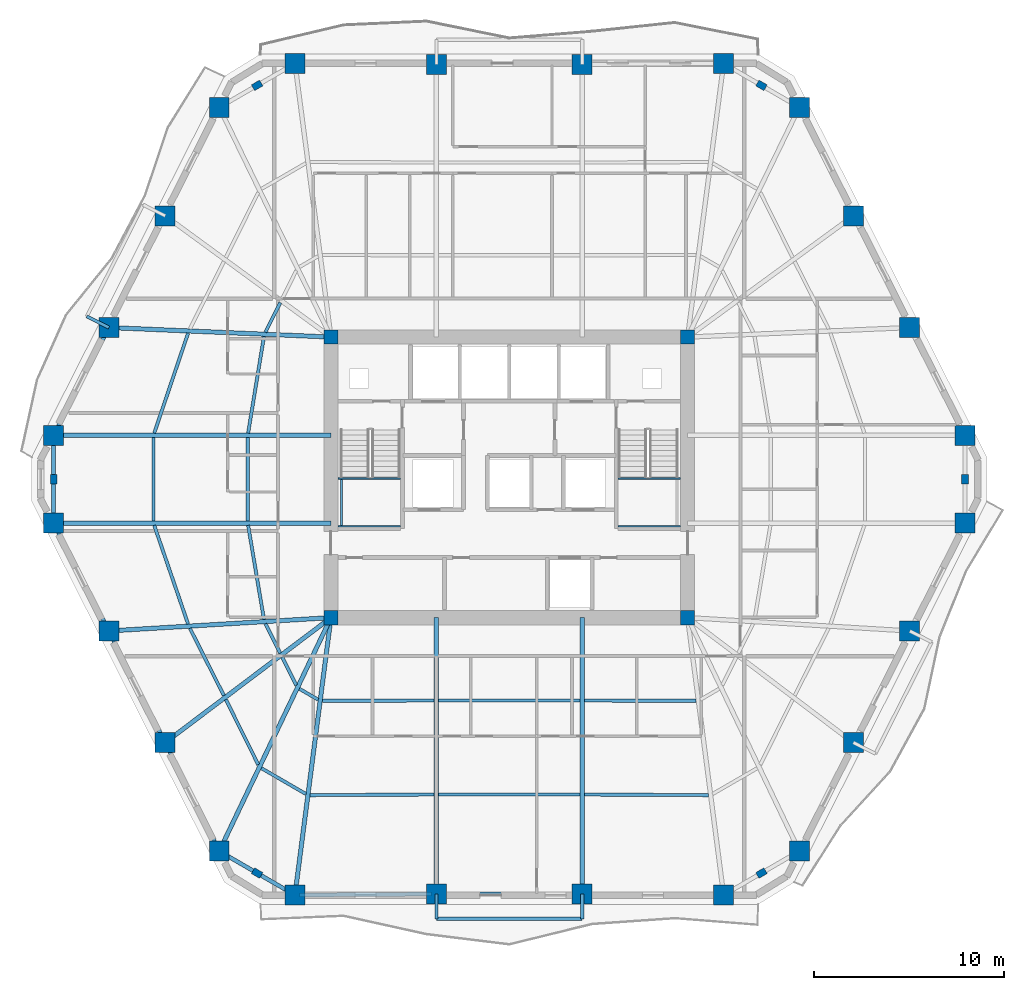
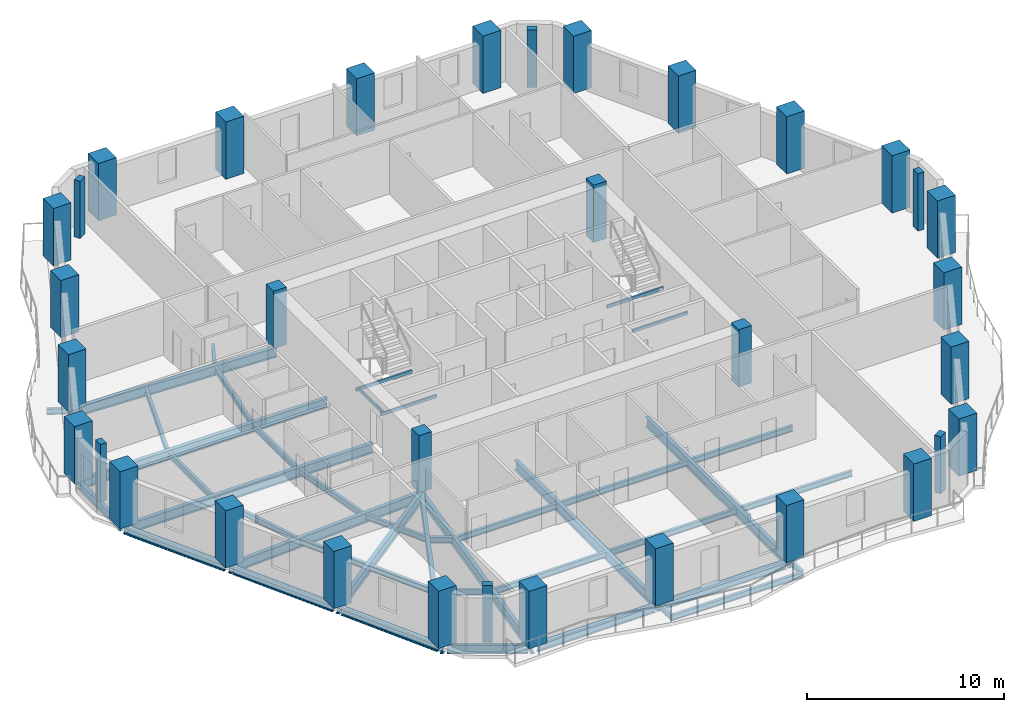
# One storey, part 1 of 10: 45 beams, 34 columns.
"""IFC4 building model written with IfcOpenShell, lengths in metres."""

from ifc_helpers import new_model, si_unit, direction, frame, origin, origin_2d, place, context, subcontext, project, spatial, rectangle, hollow_rectangle, i_section, extrude, material, material_profile, profile_set, type_object, element, save


model = new_model("IFC4")

# Units and contexts
model_context = context("Model", 3, precision=1e-05, world=origin(), true_north=direction((0.0, 1.0)))
body_context = subcontext(model_context, "Body", "Model", "MODEL_VIEW")
ifc_project = project(units=[si_unit("LENGTHUNIT", "METRE"), si_unit("AREAUNIT", "SQUARE_METRE"), si_unit("VOLUMEUNIT", "CUBIC_METRE"), si_unit("PLANEANGLEUNIT", "RADIAN"), si_unit("MASSUNIT", "GRAM", prefix="KILO")], contexts=[model_context])

# Site, building, storey
site_placement = place(None, origin())
site = spatial("IfcSite", under=ifc_project, at=site_placement, CompositionType="ELEMENT")
building_placement = place(site_placement, origin())
building = spatial("IfcBuilding", under=site, at=building_placement, Name="Cinnabar Lancet Tower", CompositionType="ELEMENT")
storey_placement = place(building_placement, frame((0.0, 0.0, 116.14990234375)))
storey = spatial("IfcBuildingStorey", under=building, at=storey_placement, Name="L30", CompositionType="ELEMENT", Elevation=116.14990234375)

# Columns
ifc_material_1 = material(Name="Concrete C70/85", Category="concrete")
ifc_material_profile_1 = material_profile(ifc_material_1, rectangle(XDim=0.75, YDim=0.75, at=origin_2d()), Name="RC-COL 750x750")
ifc_profile_set_1 = profile_set([ifc_material_profile_1], Name="Concrete C70/85")
column_type_1 = type_object("IfcColumnType", Name="STR-COL-CORE-750", PredefinedType="COLUMN", material=ifc_profile_set_1)
for number, where, z_axis, x_axis, name in (
    (1, (23.02490234375, 18.52490234375, 0.0), (0.0, 0.0, 1.0), (1.0, 0.0, 0.0), "L30 Core Corner Column SW"),
    (2, (41.77490234375, 18.52490234375, 0.0), (0.0, 0.0, 1.0), (1.0, 0.0, 0.0), "L30 Core Corner Column SE"),
    (3, (41.77490234375, 33.27490234375, 0.0), (0.0, 0.0, 1.0), (1.0, 0.0, 0.0), "L30 Core Corner Column NE"),
    (4, (23.02490234375, 33.27490234375, 0.0), (0.0, 0.0, 1.0), (1.0, 0.0, 0.0), "L30 Core Corner Column NW"),
):
    element("IfcColumn", number, at=place(storey_placement, frame(where, z_axis=z_axis, x_axis=x_axis)), inside=storey, type_object=column_type_1, Name=name, PredefinedType="COLUMN", context=body_context, shape_type="SweptSolid", body=[
        extrude(rectangle(XDim=0.75, YDim=0.75, at=origin_2d()), origin(), (0.0, 0.0, 1.0), 3.550048828125),
    ])
ifc_material_2 = material(Name="Concrete C60/75", Category="concrete")
ifc_material_profile_2 = material_profile(ifc_material_2, rectangle(XDim=0.5, YDim=0.35009765625, at=origin_2d()), Name="RC-PIL 500x350")
ifc_profile_set_2 = profile_set([ifc_material_profile_2], Name="Concrete C60/75")
column_type_2 = type_object("IfcColumnType", Name="STR-COL-PIL-500", PredefinedType="PILASTER", material=ifc_profile_set_2)
for number, where, z_axis, x_axis, name in (
    (5, (19.14111328125, 5.093017578125, 0.0), (0.0, 0.0, 1.0), (0.865160173452, -0.501495637342, 0.0), "L30 Chamfered Corner Pilaster 1"),
    (6, (45.658935546875, 5.093017578125, 0.0), (0.0, 0.0, 1.0), (0.865160173452, 0.501495637342, 0.0), "L30 Chamfered Corner Pilaster 2"),
    (7, (56.35693359375, 25.800048828125, 0.0), (0.0, 0.0, 1.0), (0.0, 1.0, 0.0), "L30 Chamfered Corner Pilaster 3"),
    (8, (45.658935546875, 46.508056640625, 0.0), (0.0, 0.0, 1.0), (-0.865160173452, 0.501495637342, 0.0), "L30 Chamfered Corner Pilaster 4"),
    (9, (19.14111328125, 46.508056640625, 0.0), (0.0, 0.0, 1.0), (-0.865160173452, -0.501495637342, 0.0), "L30 Chamfered Corner Pilaster 5"),
    (10, (8.443115234375, 25.800048828125, 0.0), (0.0, 0.0, 1.0), (0.0, -1.0, 0.0), "L30 Chamfered Corner Pilaster 6"),
):
    element("IfcColumn", number, at=place(storey_placement, frame(where, z_axis=z_axis, x_axis=x_axis)), inside=storey, type_object=column_type_2, Name=name, PredefinedType="PILASTER", context=body_context, shape_type="SweptSolid", body=[
        extrude(rectangle(XDim=0.5, YDim=0.35009765625, at=origin_2d()), origin(), (0.0, 0.0, 1.0), 3.550048828125),
    ])
ifc_material_3 = material(Name="Concrete C70/85", Category="concrete")
ifc_material_profile_3 = material_profile(ifc_material_3, rectangle(XDim=1.050048828125, YDim=1.050048828125, at=origin_2d()), Name="RC-COL 1050x1050")
ifc_profile_set_3 = profile_set([ifc_material_profile_3], Name="Concrete C70/85")
column_type_3 = type_object("IfcColumnType", Name="STR-COL-TUBE-1050", PredefinedType="COLUMN", material=ifc_profile_set_3)
for number, where, z_axis, x_axis, name in (
    (11, (21.131103515625, 3.93896484375, 0.0), (0.0, 0.0, 1.0), (1.0, 0.0, 0.0), "L30 Perimeter Tube Column 1"),
    (12, (28.568115234375, 3.991943359375, 0.0), (0.0, 0.0, 1.0), (1.0, 0.0, 0.0), "L30 Perimeter Tube Column 2"),
    (13, (36.23193359375, 3.991943359375, 0.0), (0.0, 0.0, 1.0), (1.0, 0.0, 0.0), "L30 Perimeter Tube Column 3"),
    (14, (43.6689453125, 3.93896484375, 0.0), (0.0, 0.0, 1.0), (1.0, 0.0, 0.0), "L30 Perimeter Tube Column 4"),
    (15, (47.64892578125, 6.24609375, 0.0), (0.0, 0.0, 1.0), (1.0, 0.0, 0.0), "L30 Perimeter Tube Column 5"),
    (16, (50.489013671875, 11.955078125, 0.0), (0.0, 0.0, 1.0), (1.0, 0.0, 0.0), "L30 Perimeter Tube Column 6"),
    (17, (53.451904296875, 17.823974609375, 0.0), (0.0, 0.0, 1.0), (1.0, 0.0, 0.0), "L30 Perimeter Tube Column 7"),
    (18, (56.35693359375, 23.490966796875, 0.0), (0.0, 0.0, 1.0), (1.0, 0.0, 0.0), "L30 Perimeter Tube Column 8"),
    (19, (56.35693359375, 28.10888671875, 0.0), (0.0, 0.0, 1.0), (1.0, 0.0, 0.0), "L30 Perimeter Tube Column 9"),
    (20, (53.451904296875, 33.77587890625, 0.0), (0.0, 0.0, 1.0), (1.0, 0.0, 0.0), "L30 Perimeter Tube Column 10"),
    (21, (50.489013671875, 39.64501953125, 0.0), (0.0, 0.0, 1.0), (1.0, 0.0, 0.0), "L30 Perimeter Tube Column 11"),
    (22, (47.64892578125, 45.35400390625, 0.0), (0.0, 0.0, 1.0), (1.0, 0.0, 0.0), "L30 Perimeter Tube Column 12"),
    (23, (43.6689453125, 47.660888671875, 0.0), (0.0, 0.0, 1.0), (1.0, 0.0, 0.0), "L30 Perimeter Tube Column 13"),
    (24, (36.23193359375, 47.60791015625, 0.0), (0.0, 0.0, 1.0), (1.0, 0.0, 0.0), "L30 Perimeter Tube Column 14"),
    (25, (28.568115234375, 47.60791015625, 0.0), (0.0, 0.0, 1.0), (1.0, 0.0, 0.0), "L30 Perimeter Tube Column 15"),
    (26, (21.131103515625, 47.660888671875, 0.0), (0.0, 0.0, 1.0), (1.0, 0.0, 0.0), "L30 Perimeter Tube Column 16"),
    (27, (17.15087890625, 45.35400390625, 0.0), (0.0, 0.0, 1.0), (1.0, 0.0, 0.0), "L30 Perimeter Tube Column 17"),
    (28, (14.31103515625, 39.64501953125, 0.0), (0.0, 0.0, 1.0), (1.0, 0.0, 0.0), "L30 Perimeter Tube Column 18"),
    (29, (11.347900390625, 33.77587890625, 0.0), (0.0, 0.0, 1.0), (1.0, 0.0, 0.0), "L30 Perimeter Tube Column 19"),
    (30, (8.443115234375, 28.10888671875, 0.0), (0.0, 0.0, 1.0), (1.0, 0.0, 0.0), "L30 Perimeter Tube Column 20"),
    (31, (8.443115234375, 23.490966796875, 0.0), (0.0, 0.0, 1.0), (1.0, 0.0, 0.0), "L30 Perimeter Tube Column 21"),
    (32, (11.347900390625, 17.823974609375, 0.0), (0.0, 0.0, 1.0), (1.0, 0.0, 0.0), "L30 Perimeter Tube Column 22"),
    (33, (14.31103515625, 11.955078125, 0.0), (0.0, 0.0, 1.0), (1.0, 0.0, 0.0), "L30 Perimeter Tube Column 23"),
    (34, (17.15087890625, 6.24609375, 0.0), (0.0, 0.0, 1.0), (1.0, 0.0, 0.0), "L30 Perimeter Tube Column 24"),
):
    element("IfcColumn", number, at=place(storey_placement, frame(where, z_axis=z_axis, x_axis=x_axis)), inside=storey, type_object=column_type_3, Name=name, PredefinedType="COLUMN", context=body_context, shape_type="SweptSolid", body=[
        extrude(rectangle(XDim=1.050048828125, YDim=1.050048828125, at=origin_2d()), origin(), (0.0, 0.0, 1.0), 3.550048828125),
    ])

# Beams
ifc_material_4 = material(Name="Structural steel S355", Category="steel")
ifc_material_profile_4 = material_profile(ifc_material_4, i_section(OverallWidth=0.17138671875, OverallDepth=0.35498046875, WebThickness=0.00732421875, FlangeThickness=0.011474609375, FilletRadius=0.01025390625, at=origin_2d()), Name="UKB 356x171x51")
ifc_profile_set_4 = profile_set([ifc_material_profile_4], Name="Structural steel S355")
beam_type_1 = type_object("IfcBeamType", Name="STR-BM-JST-356", PredefinedType="JOIST", material=ifc_profile_set_4)
beam_1_placement = place(storey_placement, frame((13.73193359375, 23.376953125, -0.386962890625), z_axis=(0.324639458548, -0.945837841257, 0.0), x_axis=(0.945837841257, 0.324639458548, 0.0)))
element("IfcBeam", 35, at=beam_1_placement, inside=storey, type_object=beam_type_1, Name="L30 Secondary Floor Joist 1", PredefinedType="JOIST", context=body_context, shape_type="SweptSolid", body=[
    extrude(i_section(OverallWidth=0.17138671875, OverallDepth=0.35498046875, WebThickness=0.00732421875, FlangeThickness=0.011474609375, FilletRadius=0.01025390625, at=origin_2d()), origin(), (0.0, 0.0, 1.0), 5.486083984375),
])
beam_2_placement = place(storey_placement, frame((18.669921875, 23.376953125, -0.386962890625), z_axis=(0.165984412241, -0.986128376477, 0.0), x_axis=(0.986128376477, 0.165984412241, 0.0)))
element("IfcBeam", 36, at=beam_2_placement, inside=storey, type_object=beam_type_1, Name="L30 Secondary Floor Joist 2", PredefinedType="JOIST", context=body_context, shape_type="SweptSolid", body=[
    extrude(i_section(OverallWidth=0.17138671875, OverallDepth=0.35498046875, WebThickness=0.00732421875, FlangeThickness=0.011474609375, FilletRadius=0.01025390625, at=origin_2d()), origin(), (0.0, 0.0, 1.0), 5.0185546875),
])
beam_3_placement = place(storey_placement, frame((15.60791015625, 17.965087890625, -0.386962890625), z_axis=(0.450755070916, -0.892647671841, 0.0), x_axis=(0.892647671841, 0.450755070916, 0.0)))
element("IfcBeam", 37, at=beam_3_placement, inside=storey, type_object=beam_type_1, Name="L30 Secondary Floor Joist 3", PredefinedType="JOIST", context=body_context, shape_type="SweptSolid", body=[
    extrude(i_section(OverallWidth=0.17138671875, OverallDepth=0.35498046875, WebThickness=0.00732421875, FlangeThickness=0.011474609375, FilletRadius=0.01025390625, at=origin_2d()), origin(), (0.0, 0.0, 1.0), 3.966796875),
])
beam_4_placement = place(storey_placement, frame((19.577880859375, 18.2041015625, -0.386962890625), z_axis=(0.450874341268, -0.892587434589, 0.0), x_axis=(0.892587434589, 0.450874341268, 0.0)))
element("IfcBeam", 38, at=beam_4_placement, inside=storey, type_object=beam_type_1, Name="L30 Secondary Floor Joist 4", PredefinedType="JOIST", context=body_context, shape_type="SweptSolid", body=[
    extrude(i_section(OverallWidth=0.17138671875, OverallDepth=0.35498046875, WebThickness=0.00732421875, FlangeThickness=0.011474609375, FilletRadius=0.01025390625, at=origin_2d()), origin(), (0.0, 0.0, 1.0), 1.732177734375),
])
beam_5_placement = place(storey_placement, frame((17.5, 14.216064453125, -0.386962890625), z_axis=(0.445295120803, -0.895383859241, 0.0), x_axis=(0.895383859241, 0.445295120803, 0.0)))
element("IfcBeam", 39, at=beam_5_placement, inside=storey, type_object=beam_type_1, Name="L30 Secondary Floor Joist 5", PredefinedType="JOIST", context=body_context, shape_type="SweptSolid", body=[
    extrude(i_section(OverallWidth=0.17138671875, OverallDepth=0.35498046875, WebThickness=0.00732421875, FlangeThickness=0.011474609375, FilletRadius=0.01025390625, at=origin_2d()), origin(), (0.0, 0.0, 1.0), 3.81982421875),
])
beam_6_placement = place(storey_placement, frame((20.4619140625, 16.449951171875, -0.386962890625), z_axis=(0.445557690111, -0.895253229418, 0.0), x_axis=(0.895253229418, 0.445557690111, 0.0)))
element("IfcBeam", 40, at=beam_6_placement, inside=storey, type_object=beam_type_1, Name="L30 Secondary Floor Joist 6", PredefinedType="JOIST", context=body_context, shape_type="SweptSolid", body=[
    extrude(i_section(OverallWidth=0.17138671875, OverallDepth=0.35498046875, WebThickness=0.00732421875, FlangeThickness=0.011474609375, FilletRadius=0.01025390625, at=origin_2d()), origin(), (0.0, 0.0, 1.0), 1.652099609375),
])
beam_7_placement = place(storey_placement, frame((19.364990234375, 10.60888671875, -0.386962890625), z_axis=(0.865172906898, -0.501473669469, 0.0), x_axis=(0.501473669469, 0.865172906898, 0.0)))
element("IfcBeam", 41, at=beam_7_placement, inside=storey, type_object=beam_type_1, Name="L30 Secondary Floor Joist 7", PredefinedType="JOIST", context=body_context, shape_type="SweptSolid", body=[
    extrude(i_section(OverallWidth=0.17138671875, OverallDepth=0.35498046875, WebThickness=0.00732421875, FlangeThickness=0.011474609375, FilletRadius=0.01025390625, at=origin_2d()), origin(), (0.0, 0.0, 1.0), 2.705810546875),
])
beam_8_placement = place(storey_placement, frame((21.362060546875, 14.783935546875, -0.386962890625), z_axis=(0.865055308165, -0.501676503154, 0.0), x_axis=(0.501676503154, 0.865055308165, 0.0)))
element("IfcBeam", 42, at=beam_8_placement, inside=storey, type_object=beam_type_1, Name="L30 Secondary Floor Joist 8", PredefinedType="JOIST", context=body_context, shape_type="SweptSolid", body=[
    extrude(i_section(OverallWidth=0.17138671875, OverallDepth=0.35498046875, WebThickness=0.00732421875, FlangeThickness=0.011474609375, FilletRadius=0.01025390625, at=origin_2d()), origin(), (0.0, 0.0, 1.0), 1.14208984375),
])
beam_9_placement = place(storey_placement, frame((21.927978515625, 9.19091796875, -0.386962890625), z_axis=(0.999987991898, 0.004900618269, 0.0), x_axis=(-0.004900618269, 0.999987991898, 0.0)))
element("IfcBeam", 43, at=beam_9_placement, inside=storey, type_object=beam_type_1, Name="L30 Secondary Floor Joist 9", PredefinedType="JOIST", context=body_context, shape_type="SweptSolid", body=[
    extrude(i_section(OverallWidth=0.17138671875, OverallDepth=0.35498046875, WebThickness=0.00732421875, FlangeThickness=0.011474609375, FilletRadius=0.01025390625, at=origin_2d()), origin(), (0.0, 0.0, 1.0), 6.526123046875),
])
beam_10_placement = place(storey_placement, frame((22.572021484375, 14.14892578125, -0.386962890625), z_axis=(0.999996247906, 0.002739374605, 0.0), x_axis=(-0.002739374605, 0.999996247906, 0.0)))
element("IfcBeam", 44, at=beam_10_placement, inside=storey, type_object=beam_type_1, Name="L30 Secondary Floor Joist 10", PredefinedType="JOIST", context=body_context, shape_type="SweptSolid", body=[
    extrude(i_section(OverallWidth=0.17138671875, OverallDepth=0.35498046875, WebThickness=0.00732421875, FlangeThickness=0.011474609375, FilletRadius=0.01025390625, at=origin_2d()), origin(), (0.0, 0.0, 1.0), 5.882080078125),
])
for number, where, z_axis, x_axis, name in (
    (45, (28.681884765625, 9.22412109375, -0.386962890625), (1.0, 0.0, 0.0), (0.0, 1.0, 0.0), "L30 Secondary Floor Joist 11"),
    (46, (28.681884765625, 14.1650390625, -0.386962890625), (1.0, 0.0, 0.0), (0.0, 1.0, 0.0), "L30 Secondary Floor Joist 12"),
):
    element("IfcBeam", number, at=place(storey_placement, frame(where, z_axis=z_axis, x_axis=x_axis)), inside=storey, type_object=beam_type_1, Name=name, PredefinedType="JOIST", context=body_context, shape_type="SweptSolid", body=[
        extrude(i_section(OverallWidth=0.17138671875, OverallDepth=0.35498046875, WebThickness=0.00732421875, FlangeThickness=0.011474609375, FilletRadius=0.01025390625, at=origin_2d()), origin(), (0.0, 0.0, 1.0), 7.43603515625),
    ])
beam_11_placement = place(storey_placement, frame((36.345947265625, 9.222900390625, -0.386962890625), z_axis=(0.999987991898, -0.004900618269, 0.0), x_axis=(0.004900618269, 0.999987991898, 0.0)))
element("IfcBeam", 47, at=beam_11_placement, inside=storey, type_object=beam_type_1, Name="L30 Secondary Floor Joist 13", PredefinedType="JOIST", context=body_context, shape_type="SweptSolid", body=[
    extrude(i_section(OverallWidth=0.17138671875, OverallDepth=0.35498046875, WebThickness=0.00732421875, FlangeThickness=0.011474609375, FilletRadius=0.01025390625, at=origin_2d()), origin(), (0.0, 0.0, 1.0), 6.526123046875),
])
beam_12_placement = place(storey_placement, frame((36.345947265625, 14.1650390625, -0.386962890625), z_axis=(0.999996247906, -0.002739374605, 0.0), x_axis=(0.002739374605, 0.999996247906, 0.0)))
element("IfcBeam", 48, at=beam_12_placement, inside=storey, type_object=beam_type_1, Name="L30 Secondary Floor Joist 14", PredefinedType="JOIST", context=body_context, shape_type="SweptSolid", body=[
    extrude(i_section(OverallWidth=0.17138671875, OverallDepth=0.35498046875, WebThickness=0.00732421875, FlangeThickness=0.011474609375, FilletRadius=0.01025390625, at=origin_2d()), origin(), (0.0, 0.0, 1.0), 5.882080078125),
])
beam_13_placement = place(storey_placement, frame((20.35888671875, 35.0830078125, -0.386962890625), z_axis=(-0.450931068976, -0.892558777354, 0.0), x_axis=(0.892558777354, -0.450931068976, 0.0)))
element("IfcBeam", 49, at=beam_13_placement, inside=storey, type_object=beam_type_1, Name="L30 Secondary Floor Joist 44", PredefinedType="JOIST", context=body_context, shape_type="SweptSolid", body=[
    extrude(i_section(OverallWidth=0.17138671875, OverallDepth=0.35498046875, WebThickness=0.00732421875, FlangeThickness=0.011474609375, FilletRadius=0.01025390625, at=origin_2d()), origin(), (0.0, 0.0, 1.0), 1.73193359375),
])
beam_14_placement = place(storey_placement, frame((15.513916015625, 33.48291015625, -0.386962890625), z_axis=(-0.321023911172, -0.947071089442, 0.0), x_axis=(0.947071089442, -0.321023911172, 0.0)))
element("IfcBeam", 50, at=beam_14_placement, inside=storey, type_object=beam_type_1, Name="L30 Secondary Floor Joist 45", PredefinedType="JOIST", context=body_context, shape_type="SweptSolid", body=[
    extrude(i_section(OverallWidth=0.17138671875, OverallDepth=0.35498046875, WebThickness=0.00732421875, FlangeThickness=0.011474609375, FilletRadius=0.01025390625, at=origin_2d()), origin(), (0.0, 0.0, 1.0), 5.553955078125),
])
beam_15_placement = place(storey_placement, frame((19.5029296875, 33.31201171875, -0.386962890625), z_axis=(-0.161719098977, -0.986836832017, 0.0), x_axis=(0.986836832017, -0.161719098977, 0.0)))
element("IfcBeam", 51, at=beam_15_placement, inside=storey, type_object=beam_type_1, Name="L30 Secondary Floor Joist 46", PredefinedType="JOIST", context=body_context, shape_type="SweptSolid", body=[
    extrude(i_section(OverallWidth=0.17138671875, OverallDepth=0.35498046875, WebThickness=0.00732421875, FlangeThickness=0.011474609375, FilletRadius=0.01025390625, at=origin_2d()), origin(), (0.0, 0.0, 1.0), 5.156982421875),
])
for number, where, z_axis, x_axis, name in (
    (52, (13.693115234375, 27.9951171875, -0.386962890625), (0.0, -1.0, 0.0), (1.0, 0.0, 0.0), "L30 Secondary Floor Joist 47"),
    (53, (18.64990234375, 27.9951171875, -0.386962890625), (0.0, -1.0, 0.0), (1.0, 0.0, 0.0), "L30 Secondary Floor Joist 48"),
):
    element("IfcBeam", number, at=place(storey_placement, frame(where, z_axis=z_axis, x_axis=x_axis)), inside=storey, type_object=beam_type_1, Name=name, PredefinedType="JOIST", context=body_context, shape_type="SweptSolid", body=[
        extrude(i_section(OverallWidth=0.17138671875, OverallDepth=0.35498046875, WebThickness=0.00732421875, FlangeThickness=0.011474609375, FilletRadius=0.01025390625, at=origin_2d()), origin(), (0.0, 0.0, 1.0), 4.39013671875),
    ])
ifc_material_5 = material(Name="Structural steel S355", Category="steel")
ifc_material_profile_5 = material_profile(ifc_material_5, hollow_rectangle(XDim=0.10009765625, YDim=0.199951171875, WallThickness=0.008056640625, InnerFilletRadius=0.00390625, OuterFilletRadius=0.011962890625, at=origin_2d()), Name="RHS 200x100x8")
ifc_profile_set_5 = profile_set([ifc_material_profile_5], Name="Structural steel S355")
beam_type_2 = type_object("IfcBeamType", Name="STR-BM-LND-203", PredefinedType="BEAM", material=ifc_profile_set_5)
for number, where, z_axis, x_axis, name in (
    (54, (23.39990234375, 23.330078125, 1.47509765625), (1.0, 0.0, 0.0), (0.0, 1.0, 0.0), "L30 ST-1-L30 Landing Support Beam S"),
    (55, (23.39990234375, 25.844970703125, 1.47509765625), (1.0, 0.0, 0.0), (0.0, 1.0, 0.0), "L30 ST-1-L30 Landing Support Beam N"),
):
    element("IfcBeam", number, at=place(storey_placement, frame(where, z_axis=z_axis, x_axis=x_axis)), inside=storey, type_object=beam_type_2, Name=name, PredefinedType="BEAM", context=body_context, shape_type="SweptSolid", body=[
        extrude(hollow_rectangle(XDim=0.10009765625, YDim=0.199951171875, WallThickness=0.008056640625, InnerFilletRadius=0.00390625, OuterFilletRadius=0.011962890625, at=origin_2d()), origin(), (0.0, 0.0, 1.0), 3.280029296875),
    ])
beam_16_placement = place(storey_placement, frame((23.580078125, 23.3798828125, 1.47509765625), z_axis=(0.0, 1.0, 0.0), x_axis=(-1.0, 0.0, 0.0)))
element("IfcBeam", 56, at=beam_16_placement, inside=storey, type_object=beam_type_2, Name="L30 ST-1-L30 Landing Side Trimmer Beam", PredefinedType="BEAM", context=body_context, shape_type="SweptSolid", body=[
    extrude(hollow_rectangle(XDim=0.10009765625, YDim=0.199951171875, WallThickness=0.008056640625, InnerFilletRadius=0.00390625, OuterFilletRadius=0.011962890625, at=origin_2d()), origin(), (0.0, 0.0, 1.0), 2.4150390625),
])
for number, where, z_axis, x_axis, name in (
    (57, (38.1201171875, 23.330078125, 1.47509765625), (1.0, 0.0, 0.0), (0.0, 1.0, 0.0), "L30 ST-2-L30 Landing Support Beam S"),
    (58, (38.1201171875, 25.844970703125, 1.47509765625), (1.0, 0.0, 0.0), (0.0, 1.0, 0.0), "L30 ST-2-L30 Landing Support Beam N"),
):
    element("IfcBeam", number, at=place(storey_placement, frame(where, z_axis=z_axis, x_axis=x_axis)), inside=storey, type_object=beam_type_2, Name=name, PredefinedType="BEAM", context=body_context, shape_type="SweptSolid", body=[
        extrude(hollow_rectangle(XDim=0.10009765625, YDim=0.199951171875, WallThickness=0.008056640625, InnerFilletRadius=0.00390625, OuterFilletRadius=0.011962890625, at=origin_2d()), origin(), (0.0, 0.0, 1.0), 3.27978515625),
    ])
ifc_material_6 = material(Name="Structural steel S355", Category="steel")
ifc_material_profile_6 = material_profile(ifc_material_6, i_section(OverallWidth=0.209228515625, OverallDepth=0.533203125, WebThickness=0.010009765625, FlangeThickness=0.015625, FilletRadius=0.0126953125, at=origin_2d()), Name="UKB 533x210x92")
ifc_profile_set_6 = profile_set([ifc_material_profile_6], Name="Structural steel S355")
beam_type_3 = type_object("IfcBeamType", Name="STR-BM-SPN-533", PredefinedType="SPANDREL", material=ifc_profile_set_6)
beam_17_placement = place(storey_placement, frame((21.381103515625, 3.94091796875, -0.476806640625), z_axis=(0.999974980359, 0.007073800628, 0.0), x_axis=(-0.007073800628, 0.999974980359, 0.0)))
element("IfcBeam", 59, at=beam_17_placement, inside=storey, type_object=beam_type_3, Name="L30 Perimeter Spandrel 1", PredefinedType="SPANDREL", context=body_context, shape_type="SweptSolid", body=[
    extrude(i_section(OverallWidth=0.209228515625, OverallDepth=0.533203125, WebThickness=0.010009765625, FlangeThickness=0.015625, FilletRadius=0.0126953125, at=origin_2d()), origin(), (0.0, 0.0, 1.0), 6.937255859375),
])
beam_18_placement = place(storey_placement, frame((28.818115234375, 3.991943359375, -0.476806640625), z_axis=(1.0, 0.0, 0.0), x_axis=(0.0, 1.0, 0.0)))
element("IfcBeam", 60, at=beam_18_placement, inside=storey, type_object=beam_type_3, Name="L30 Perimeter Spandrel 2", PredefinedType="SPANDREL", context=body_context, shape_type="SweptSolid", body=[
    extrude(i_section(OverallWidth=0.209228515625, OverallDepth=0.533203125, WebThickness=0.010009765625, FlangeThickness=0.015625, FilletRadius=0.0126953125, at=origin_2d()), origin(), (0.0, 0.0, 1.0), 7.163818359375),
])
beam_19_placement = place(storey_placement, frame((11.23388671875, 33.553955078125, -0.476806640625), z_axis=(-0.456126618405, -0.889914888055, 0.0), x_axis=(0.889914888055, -0.456126618405, 0.0)))
element("IfcBeam", 61, at=beam_19_placement, inside=storey, type_object=beam_type_3, Name="L30 Perimeter Spandrel 19", PredefinedType="SPANDREL", context=body_context, shape_type="SweptSolid", body=[
    extrude(i_section(OverallWidth=0.209228515625, OverallDepth=0.533203125, WebThickness=0.010009765625, FlangeThickness=0.015625, FilletRadius=0.0126953125, at=origin_2d()), origin(), (0.0, 0.0, 1.0), 5.868896484375),
])
beam_20_placement = place(storey_placement, frame((8.443115234375, 27.85888671875, -0.476806640625), z_axis=(0.0, -1.0, 0.0), x_axis=(1.0, 0.0, 0.0)))
element("IfcBeam", 62, at=beam_20_placement, inside=storey, type_object=beam_type_3, Name="L30 Perimeter Spandrel 20", PredefinedType="SPANDREL", context=body_context, shape_type="SweptSolid", body=[
    extrude(i_section(OverallWidth=0.209228515625, OverallDepth=0.533203125, WebThickness=0.010009765625, FlangeThickness=0.015625, FilletRadius=0.0126953125, at=origin_2d()), origin(), (0.0, 0.0, 1.0), 4.117919921875),
])
beam_21_placement = place(storey_placement, frame((8.556884765625, 23.26904296875, -0.476806640625), z_axis=(0.456109733574, -0.889923542187, 0.0), x_axis=(0.889923542187, 0.456109733574, 0.0)))
element("IfcBeam", 63, at=beam_21_placement, inside=storey, type_object=beam_type_3, Name="L30 Perimeter Spandrel 21", PredefinedType="SPANDREL", context=body_context, shape_type="SweptSolid", body=[
    extrude(i_section(OverallWidth=0.209228515625, OverallDepth=0.533203125, WebThickness=0.010009765625, FlangeThickness=0.015625, FilletRadius=0.0126953125, at=origin_2d()), origin(), (0.0, 0.0, 1.0), 5.869140625),
])
beam_22_placement = place(storey_placement, frame((11.4609375, 17.60107421875, -0.476806640625), z_axis=(0.450570325924, -0.892740937449, 0.0), x_axis=(0.892740937449, 0.450570325924, 0.0)))
element("IfcBeam", 64, at=beam_22_placement, inside=storey, type_object=beam_type_3, Name="L30 Perimeter Spandrel 22", PredefinedType="SPANDREL", context=body_context, shape_type="SweptSolid", body=[
    extrude(i_section(OverallWidth=0.209228515625, OverallDepth=0.533203125, WebThickness=0.010009765625, FlangeThickness=0.015625, FilletRadius=0.0126953125, at=origin_2d()), origin(), (0.0, 0.0, 1.0), 6.07470703125),
])
beam_23_placement = place(storey_placement, frame((14.422119140625, 11.73095703125, -0.476806640625), z_axis=(0.445501068635, -0.89528140707, 0.0), x_axis=(0.89528140707, 0.445501068635, 0.0)))
element("IfcBeam", 65, at=beam_23_placement, inside=storey, type_object=beam_type_3, Name="L30 Perimeter Spandrel 23", PredefinedType="SPANDREL", context=body_context, shape_type="SweptSolid", body=[
    extrude(i_section(OverallWidth=0.209228515625, OverallDepth=0.533203125, WebThickness=0.010009765625, FlangeThickness=0.015625, FilletRadius=0.0126953125, at=origin_2d()), origin(), (0.0, 0.0, 1.0), 5.87646484375),
])
beam_24_placement = place(storey_placement, frame((17.366943359375, 6.12109375, -0.476806640625), z_axis=(0.865112299906, -0.501578217781, 0.0), x_axis=(0.501578217781, 0.865112299906, 0.0)))
element("IfcBeam", 66, at=beam_24_placement, inside=storey, type_object=beam_type_3, Name="L30 Perimeter Spandrel 24", PredefinedType="SPANDREL", context=body_context, shape_type="SweptSolid", body=[
    extrude(i_section(OverallWidth=0.209228515625, OverallDepth=0.533203125, WebThickness=0.010009765625, FlangeThickness=0.015625, FilletRadius=0.0126953125, at=origin_2d()), origin(), (0.0, 0.0, 1.0), 4.101318359375),
])
ifc_material_7 = material(Name="Structural steel S355", Category="steel")
ifc_material_profile_7 = material_profile(ifc_material_7, i_section(OverallWidth=0.228271484375, OverallDepth=0.607666015625, WebThickness=0.010986328125, FlangeThickness=0.017333984375, FilletRadius=0.0126953125, at=origin_2d()), Name="UKB 610x229x113")
ifc_profile_set_7 = profile_set([ifc_material_profile_7], Name="Structural steel S355")
beam_type_4 = type_object("IfcBeamType", Name="STR-BM-UKB610-113", PredefinedType="BEAM", material=ifc_profile_set_7)
beam_25_placement = place(storey_placement, frame((14.31103515625, 11.955078125, -0.513916015625), z_axis=(0.798483350078, 0.602016893158, 0.0), x_axis=(-0.602016893158, 0.798483350078, 0.0)))
element("IfcBeam", 67, at=beam_25_placement, inside=storey, type_object=beam_type_4, Name="L30 Corner Collector Girder 1", PredefinedType="BEAM", context=body_context, shape_type="SweptSolid", body=[
    extrude(i_section(OverallWidth=0.228271484375, OverallDepth=0.607666015625, WebThickness=0.010986328125, FlangeThickness=0.017333984375, FilletRadius=0.0126953125, at=origin_2d()), origin(), (0.0, 0.0, 1.0), 10.9130859375),
])
beam_26_placement = place(storey_placement, frame((21.131103515625, 3.93896484375, -0.513916015625), z_axis=(0.128756570002, 0.991676230269, 0.0), x_axis=(-0.991676230269, 0.128756570002, 0.0)))
element("IfcBeam", 68, at=beam_26_placement, inside=storey, type_object=beam_type_4, Name="L30 Primary Floor Girder 1", PredefinedType="BEAM", context=body_context, shape_type="SweptSolid", body=[
    extrude(i_section(OverallWidth=0.228271484375, OverallDepth=0.607666015625, WebThickness=0.010986328125, FlangeThickness=0.017333984375, FilletRadius=0.0126953125, at=origin_2d()), origin(), (0.0, 0.0, 1.0), 14.708251953125),
])
for number, where, z_axis, x_axis, name in (
    (69, (28.568115234375, 3.991943359375, -0.513916015625), (0.0, 1.0, 0.0), (-1.0, 0.0, 0.0), "L30 Primary Floor Girder 2"),
    (70, (36.23193359375, 3.991943359375, -0.513916015625), (0.0, 1.0, 0.0), (-1.0, 0.0, 0.0), "L30 Primary Floor Girder 3"),
):
    element("IfcBeam", number, at=place(storey_placement, frame(where, z_axis=z_axis, x_axis=x_axis)), inside=storey, type_object=beam_type_4, Name=name, PredefinedType="BEAM", context=body_context, shape_type="SweptSolid", body=[
        extrude(i_section(OverallWidth=0.228271484375, OverallDepth=0.607666015625, WebThickness=0.010986328125, FlangeThickness=0.017333984375, FilletRadius=0.0126953125, at=origin_2d()), origin(), (0.0, 0.0, 1.0), 14.532958984375),
    ])
beam_27_placement = place(storey_placement, frame((11.347900390625, 33.77587890625, -0.513916015625), z_axis=(0.999080941658, -0.042863411158, 0.0), x_axis=(0.042863411158, 0.999080941658, 0.0)))
element("IfcBeam", 71, at=beam_27_placement, inside=storey, type_object=beam_type_4, Name="L30 Primary Floor Girder 19", PredefinedType="BEAM", context=body_context, shape_type="SweptSolid", body=[
    extrude(i_section(OverallWidth=0.228271484375, OverallDepth=0.607666015625, WebThickness=0.010986328125, FlangeThickness=0.017333984375, FilletRadius=0.0126953125, at=origin_2d()), origin(), (0.0, 0.0, 1.0), 11.687744140625),
])
for number, where, z_axis, x_axis, name in (
    (72, (8.443115234375, 28.10888671875, -0.513916015625), (1.0, 0.0, 0.0), (0.0, 1.0, 0.0), "L30 Primary Floor Girder 20"),
    (73, (8.443115234375, 23.490966796875, -0.513916015625), (1.0, 0.0, 0.0), (0.0, 1.0, 0.0), "L30 Primary Floor Girder 21"),
):
    element("IfcBeam", number, at=place(storey_placement, frame(where, z_axis=z_axis, x_axis=x_axis)), inside=storey, type_object=beam_type_4, Name=name, PredefinedType="BEAM", context=body_context, shape_type="SweptSolid", body=[
        extrude(i_section(OverallWidth=0.228271484375, OverallDepth=0.607666015625, WebThickness=0.010986328125, FlangeThickness=0.017333984375, FilletRadius=0.0126953125, at=origin_2d()), origin(), (0.0, 0.0, 1.0), 14.581787109375),
    ])
beam_28_placement = place(storey_placement, frame((11.347900390625, 17.823974609375, -0.513916015625), z_axis=(0.998203272991, 0.059918492897, 0.0), x_axis=(-0.059918492897, 0.998203272991, 0.0)))
element("IfcBeam", 74, at=beam_28_placement, inside=storey, type_object=beam_type_4, Name="L30 Primary Floor Girder 22", PredefinedType="BEAM", context=body_context, shape_type="SweptSolid", body=[
    extrude(i_section(OverallWidth=0.228271484375, OverallDepth=0.607666015625, WebThickness=0.010986328125, FlangeThickness=0.017333984375, FilletRadius=0.0126953125, at=origin_2d()), origin(), (0.0, 0.0, 1.0), 11.697998046875),
])
beam_29_placement = place(storey_placement, frame((17.15087890625, 6.24609375, -0.513916015625), z_axis=(0.431548156881, 0.902089900339, 0.0), x_axis=(-0.902089900339, 0.431548156881, 0.0)))
element("IfcBeam", 75, at=beam_29_placement, inside=storey, type_object=beam_type_4, Name="L30 Primary Floor Girder 24", PredefinedType="BEAM", context=body_context, shape_type="SweptSolid", body=[
    extrude(i_section(OverallWidth=0.228271484375, OverallDepth=0.607666015625, WebThickness=0.010986328125, FlangeThickness=0.017333984375, FilletRadius=0.0126953125, at=origin_2d()), origin(), (0.0, 0.0, 1.0), 13.611572265625),
])
ifc_material_8 = material(Name="Structural steel S355", Category="steel")
ifc_material_profile_8 = material_profile(ifc_material_8, i_section(OverallWidth=0.17138671875, OverallDepth=0.35498046875, WebThickness=0.00732421875, FlangeThickness=0.011474609375, FilletRadius=0.01025390625, at=origin_2d()), Name="UKB 356x171x51")
ifc_profile_set_8 = profile_set([ifc_material_profile_8], Name="Structural steel S355")
beam_type_5 = type_object("IfcBeamType", Name="STR-BM-WAV-OUT", PredefinedType="BEAM", material=ifc_profile_set_8)
for number, where, z_axis, x_axis, name in (
    (76, (28.568115234375, 3.991943359375, -0.39697265625), (0.0, -1.0, 0.0), (1.0, 0.0, 0.0), "L30 Face 1 Balcony Outlooker A"),
    (77, (36.23193359375, 3.991943359375, -0.39697265625), (0.0, -1.0, 0.0), (1.0, 0.0, 0.0), "L30 Face 1 Balcony Outlooker B"),
    (78, (11.347900390625, 33.77587890625, -0.39697265625), (-0.892200264127, 0.451639998995, 0.0), (-0.451639998995, -0.892200264127, 0.0), "L30 Face 5 Balcony Outlooker B"),
):
    element("IfcBeam", number, at=place(storey_placement, frame(where, z_axis=z_axis, x_axis=x_axis)), inside=storey, type_object=beam_type_5, Name=name, PredefinedType="BEAM", context=body_context, shape_type="SweptSolid", body=[
        extrude(i_section(OverallWidth=0.17138671875, OverallDepth=0.35498046875, WebThickness=0.00732421875, FlangeThickness=0.011474609375, FilletRadius=0.01025390625, at=origin_2d()), origin(), (0.0, 0.0, 1.0), 1.300048828125),
    ])
ifc_material_9 = material(Name="Structural steel S355", Category="steel")
ifc_material_profile_9 = material_profile(ifc_material_9, i_section(OverallWidth=0.17138671875, OverallDepth=0.35498046875, WebThickness=0.00732421875, FlangeThickness=0.011474609375, FilletRadius=0.01025390625, at=origin_2d()), Name="UKB 356x171x51")
ifc_profile_set_9 = profile_set([ifc_material_profile_9], Name="Structural steel S355")
beam_type_6 = type_object("IfcBeamType", Name="STR-BM-WAV-TRIM", PredefinedType="SPANDREL", material=ifc_profile_set_9)
beam_30_placement = place(storey_placement, frame((28.568115234375, 2.69189453125, -0.39697265625), z_axis=(1.0, 0.0, 0.0), x_axis=(0.0, 1.0, 0.0)))
element("IfcBeam", 79, at=beam_30_placement, inside=storey, type_object=beam_type_6, Name="L30 Face 1 Balcony Edge Trimmer", PredefinedType="SPANDREL", context=body_context, shape_type="SweptSolid", body=[
    extrude(i_section(OverallWidth=0.17138671875, OverallDepth=0.35498046875, WebThickness=0.00732421875, FlangeThickness=0.011474609375, FilletRadius=0.01025390625, at=origin_2d()), origin(), (0.0, 0.0, 1.0), 7.663818359375),
])

save(model, "model.ifc")
